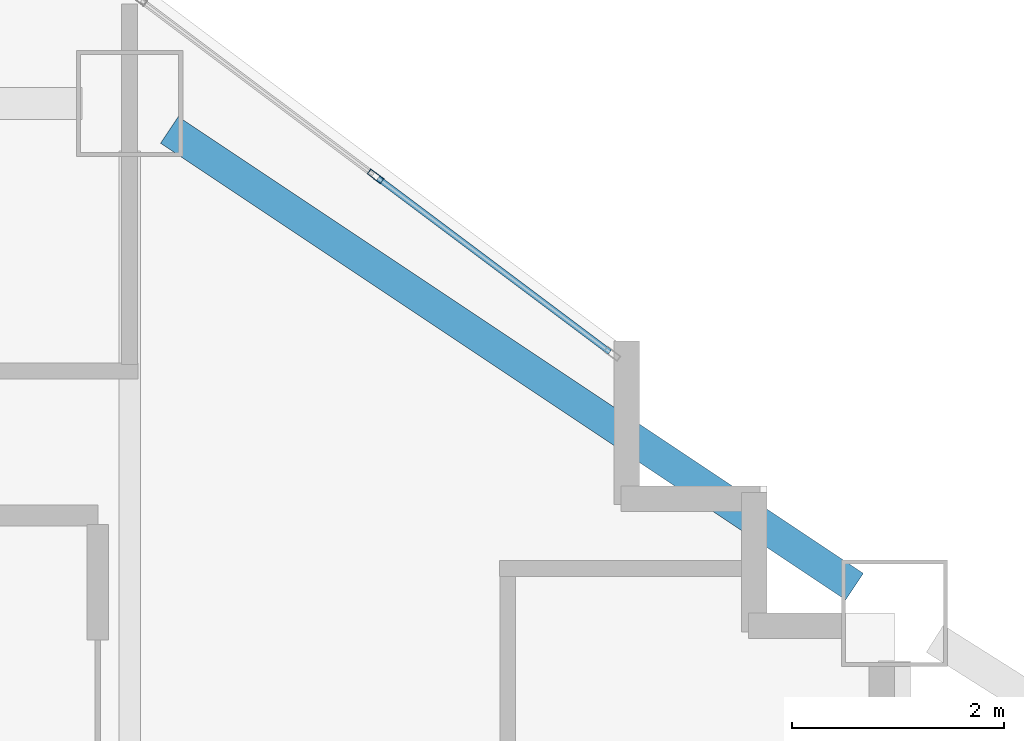
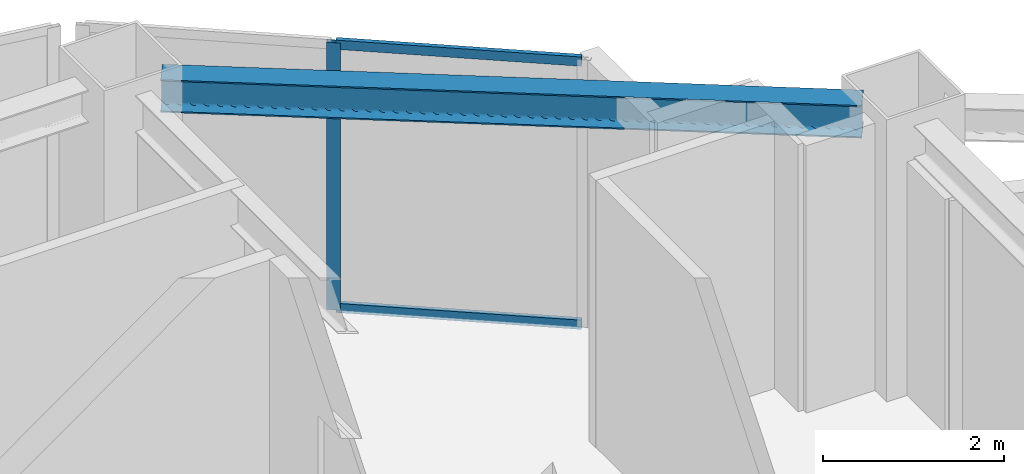
# One storey, part 3 of 14: 3 members, 1 beam, 1 element without a shape of its own.
"""IFC4 building model written with IfcOpenShell, lengths in metres."""

from ifc_helpers import new_model, si_unit, direction, frame, origin, origin_2d, place, context, subcontext, project, spatial, hollow_rectangle, i_section, extrude, material, layer, layer_set, material_profile, profile_set, type_object, element, aggregate, save


model = new_model("IFC4")

# Units and contexts
model_context = context("Model", 3, precision=1e-05, world=origin(), true_north=direction((0.0, 1.0)))
body_context = subcontext(model_context, "Body", "Model", "MODEL_VIEW")
ifc_project = project(units=[si_unit("LENGTHUNIT", "METRE"), si_unit("AREAUNIT", "SQUARE_METRE"), si_unit("VOLUMEUNIT", "CUBIC_METRE"), si_unit("PLANEANGLEUNIT", "RADIAN"), si_unit("MASSUNIT", "GRAM", prefix="KILO")], contexts=[model_context])

# Site, building, storey
site_placement = place(None, origin())
site = spatial("IfcSite", under=ifc_project, at=site_placement, CompositionType="ELEMENT")
building_placement = place(site_placement, origin())
building = spatial("IfcBuilding", under=site, at=building_placement, Name="Haolan Belvedere Tower", CompositionType="ELEMENT")
storey_placement = place(building_placement, frame((0.0, 0.0, 141.0)))
storey = spatial("IfcBuildingStorey", under=building, at=storey_placement, Name="L35", CompositionType="ELEMENT", Elevation=141.0)

# Beam
ifc_material_1 = material(Name="Steel Q355B", Category="steel")
ifc_material_profile_1 = material_profile(ifc_material_1, i_section(OverallWidth=0.300048828125, OverallDepth=0.43994140625, WebThickness=0.010986328125, FlangeThickness=0.01806640625, FilletRadius=0.02392578125, at=origin_2d()), Name="Steel Q355B")
ifc_profile_set_1 = profile_set([ifc_material_profile_1], Name="Steel Q355B")
beam_type = type_object("IfcBeamType", Name="BM-HM440x300x11x18", PredefinedType="SPANDREL", material=ifc_profile_set_1)
beam_placement = place(storey_placement, frame((45.974365234375, 50.150390625, 3.3798828125), z_axis=(0.832050294338, -0.554700196225, 0.0), x_axis=(0.554700196225, 0.832050294338, 0.0)))
element("IfcBeam", 1, at=beam_placement, inside=storey, type_object=beam_type, Name="L35 spandrel girder MC-T3-N2-MC-T3-NE", PredefinedType="SPANDREL", context=body_context, shape_type="SweptSolid", body=[
    extrude(i_section(OverallWidth=0.300048828125, OverallDepth=0.43994140625, WebThickness=0.010986328125, FlangeThickness=0.01806640625, FilletRadius=0.02392578125, at=origin_2d()), origin(), (0.0, 0.0, 1.0), 7.75341796875),
])

# Curtain wall, members
ifc_material_2 = material(Name="Anodised champagne-silver aluminium 6063-T6 and Low-E glass", Category="aluminium")
ifc_layer = layer(ifc_material_2, 0.155029296875, Name="Anodised champagne-silver aluminium 6063-T6 and Low-E glass")
ifc_layer_set = layer_set([ifc_layer], Name="Anodised champagne-silver aluminium 6063-T6 and Low-E glass")
curtain_wall_type = type_object("IfcCurtainWallType", Name="CW-SYS-03", PredefinedType="NOTDEFINED", material=ifc_layer_set)
curtain_wall_placement = place(storey_placement, origin())
curtain_wall = element("IfcCurtainWall", 2, at=curtain_wall_placement, inside=storey, type_object=curtain_wall_type, Name="L35 CW-SYS-03 ribbon curtain wall 26.1", PredefinedType="NOTDEFINED")
ifc_material_3 = material(Name="Anodised aluminium 6063-T6", Category="aluminium")
ifc_material_profile_2 = material_profile(ifc_material_3, hollow_rectangle(XDim=0.05810546875, YDim=0.155029296875, WallThickness=0.00390625, at=origin_2d()), Name="Anodised aluminium 6063-T6")
ifc_profile_set_2 = profile_set([ifc_material_profile_2], Name="Anodised aluminium 6063-T6")
member_type_1 = type_object("IfcMemberType", Name="CW-SYS-03-MUL", PredefinedType="MULLION", material=ifc_profile_set_2)
member_1_placement = place(storey_placement, frame((47.915771484375, 49.713134765625, 0.0), z_axis=(0.0, 0.0, 1.0), x_axis=(-0.599994316874, -0.800004262313, 0.0)))
member_1 = element("IfcMember", 3, at=member_1_placement, type_object=member_type_1, Name="CW-03 mullion 2", PredefinedType="MULLION", context=body_context, shape_type="SweptSolid", body=[
    extrude(hollow_rectangle(XDim=0.05810546875, YDim=0.155029296875, WallThickness=0.00390625, at=origin_2d()), origin(), (0.0, 0.0, 1.0), 3.60009765625),
])
ifc_material_profile_3 = material_profile(ifc_material_3, hollow_rectangle(XDim=0.053955078125, YDim=0.125, WallThickness=0.00390625, at=origin_2d()), Name="Anodised aluminium 6063-T6")
ifc_profile_set_3 = profile_set([ifc_material_profile_3], Name="Anodised aluminium 6063-T6")
member_type_2 = type_object("IfcMemberType", Name="CW-SYS-03-TRN", PredefinedType="USERDEFINED", material=ifc_profile_set_3)
member_2_placement = place(storey_placement, frame((50.12158203125, 48.058837890625, 0.027099609375), z_axis=(-0.8, 0.6, 0.0), x_axis=(-0.6, -0.8, 0.0)))
member_2 = element("IfcMember", 4, at=member_2_placement, type_object=member_type_2, Name="CW-03 transom 1.1", ObjectType="TRANSOM", PredefinedType="USERDEFINED", context=body_context, shape_type="SweptSolid", body=[
    extrude(hollow_rectangle(XDim=0.053955078125, YDim=0.125, WallThickness=0.00390625, at=origin_2d()), origin(), (0.0, 0.0, 1.0), 2.728271484375),
])
member_3_placement = place(storey_placement, frame((50.12158203125, 48.058837890625, 3.572998046875), z_axis=(-0.8, 0.6, 0.0), x_axis=(-0.6, -0.8, 0.0)))
member_3 = element("IfcMember", 5, at=member_3_placement, type_object=member_type_2, Name="CW-03 transom 1.2", ObjectType="TRANSOM", PredefinedType="USERDEFINED", context=body_context, shape_type="SweptSolid", body=[
    extrude(hollow_rectangle(XDim=0.053955078125, YDim=0.125, WallThickness=0.00390625, at=origin_2d()), origin(), (0.0, 0.0, 1.0), 2.728271484375),
])
aggregate(curtain_wall, [member_1, member_2, member_3])

save(model, "model.ifc")
